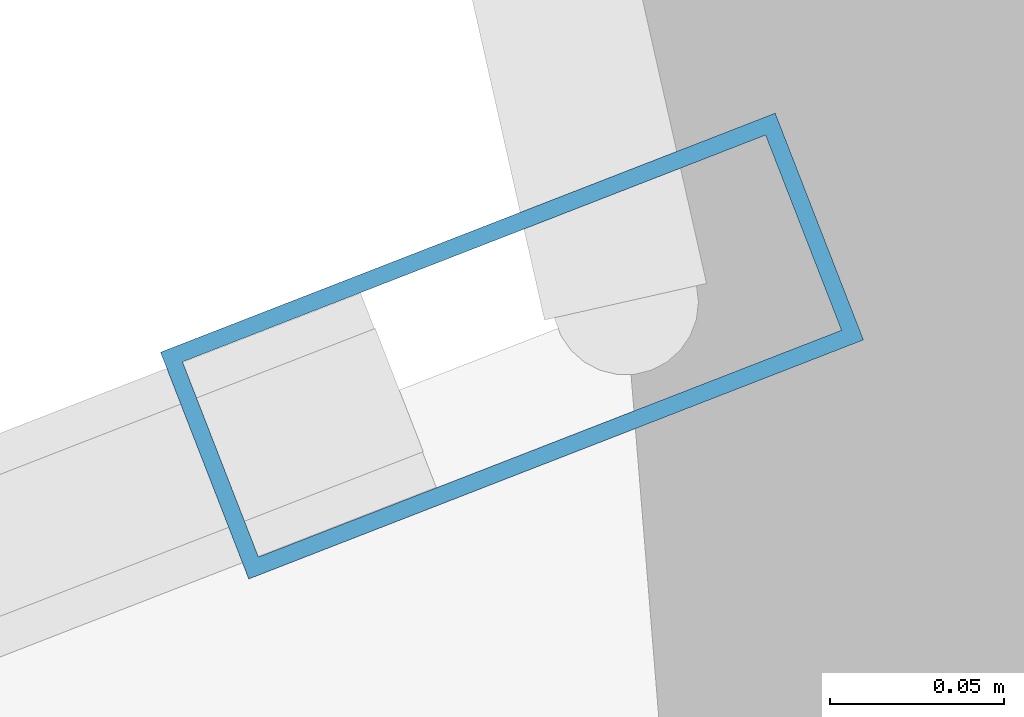
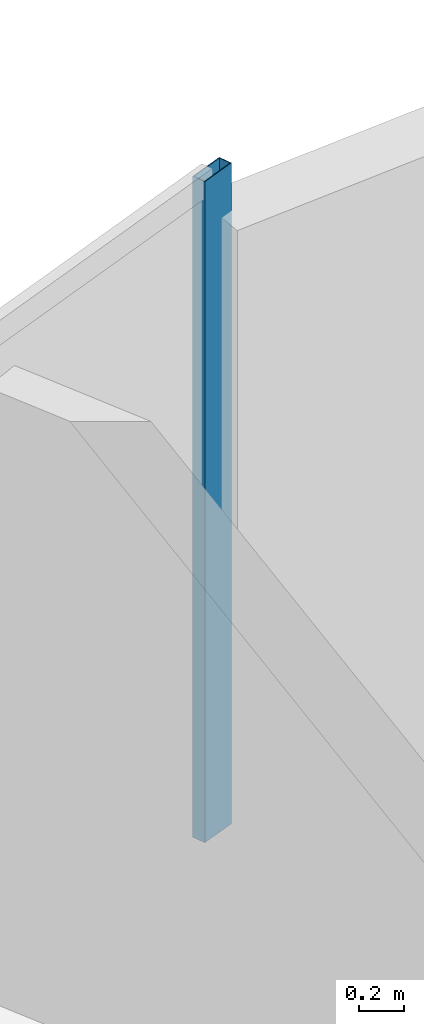
# One storey, part 17 of 26: 1 member, 1 element without a shape of its own.
"""IFC4 building model written with IfcOpenShell, lengths in metres."""

from ifc_helpers import new_model, si_unit, direction, frame, origin, origin_2d, place, context, subcontext, project, spatial, hollow_rectangle, extrude, source, transform, mapped, material, layer, layer_set, material_profile, profile_set, type_object, element, aggregate, save


model = new_model("IFC4")

# Units and contexts
model_context = context("Model", 3, precision=1e-05, world=origin(), true_north=direction((0.0, 1.0)))
body_context = subcontext(model_context, "Body", "Model", "MODEL_VIEW")
ifc_project = project(units=[si_unit("LENGTHUNIT", "METRE"), si_unit("AREAUNIT", "SQUARE_METRE"), si_unit("VOLUMEUNIT", "CUBIC_METRE"), si_unit("PLANEANGLEUNIT", "RADIAN"), si_unit("MASSUNIT", "GRAM", prefix="KILO")], contexts=[model_context])

# Site, building, storey
site_placement = place(None, origin())
site = spatial("IfcSite", under=ifc_project, at=site_placement, CompositionType="ELEMENT")
building_placement = place(site_placement, origin())
building = spatial("IfcBuilding", under=site, at=building_placement, Name="Solvirekh Grand Hotel", CompositionType="ELEMENT")
storey_placement = place(building_placement, frame((0.0, 0.0, 68.0)))
storey = spatial("IfcBuildingStorey", under=building, at=storey_placement, Name="L16", CompositionType="ELEMENT", Elevation=68.0)

# Curtain wall, member
ifc_material = material(Name="Anodized Bronze Aluminium 6063-T6", Category="aluminium")
ifc_layer = layer(ifc_material, 0.18994140625)
ifc_layer_set = layer_set([ifc_layer], Name="Anodized Bronze Aluminium 6063-T6")
curtain_wall_type = type_object("IfcCurtainWallType", Name="CW_Sys2_LowZoneFlushBronzeCW", PredefinedType="NOTDEFINED", material=ifc_layer_set)
curtain_wall_placement = place(storey_placement, origin())
curtain_wall = element("IfcCurtainWall", 1, at=curtain_wall_placement, inside=storey, type_object=curtain_wall_type, Name="L16 unitised bronze-glass curtain wall CW-L16-C08", PredefinedType="NOTDEFINED")
ifc_material_profile = material_profile(ifc_material, hollow_rectangle(XDim=0.070068359375, YDim=0.18994140625, WallThickness=0.0048828125, at=origin_2d()), Name="ALU RHS 190X70X5")
ifc_profile_set = profile_set([ifc_material_profile], Name="Anodized Bronze Aluminium 6063-T6")
member_type = type_object("IfcMemberType", Name="CWMullion_Sys2", PredefinedType="MULLION", material=ifc_profile_set)
shared_shape = source(origin(), body_context, "Body", "SweptSolid", [
    extrude(hollow_rectangle(XDim=0.070068359375, YDim=0.18994140625, WallThickness=0.0048828125, at=origin_2d()), origin(), (0.0, 0.0, 1.0), 3.60009765625),
])
member_placement = place(storey_placement, frame((-10.806640625, 21.805419921875, 0.0), z_axis=(0.0, 0.0, 1.0), x_axis=(0.362490102407, -0.931987620979, 0.0)))
member = element("IfcMember", 2, at=member_placement, type_object=member_type, Name="U02 mullion 1", PredefinedType="MULLION", context=body_context, shape_type="MappedRepresentation", body=[
    mapped(shared_shape, transform((0.0, 0.0, 0.0), x_axis=(1.0, 0.0, 0.0), y_axis=(0.0, 1.0, 0.0), z_axis=(0.0, 0.0, 1.0), scale=1.0)),
])
aggregate(curtain_wall, [member])

save(model, "model.ifc")
